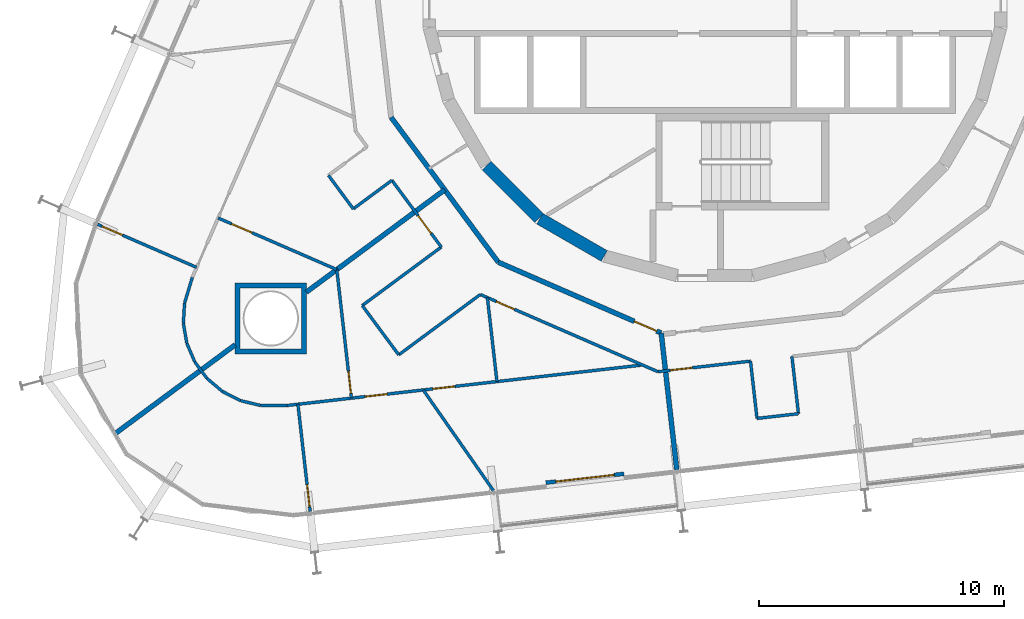
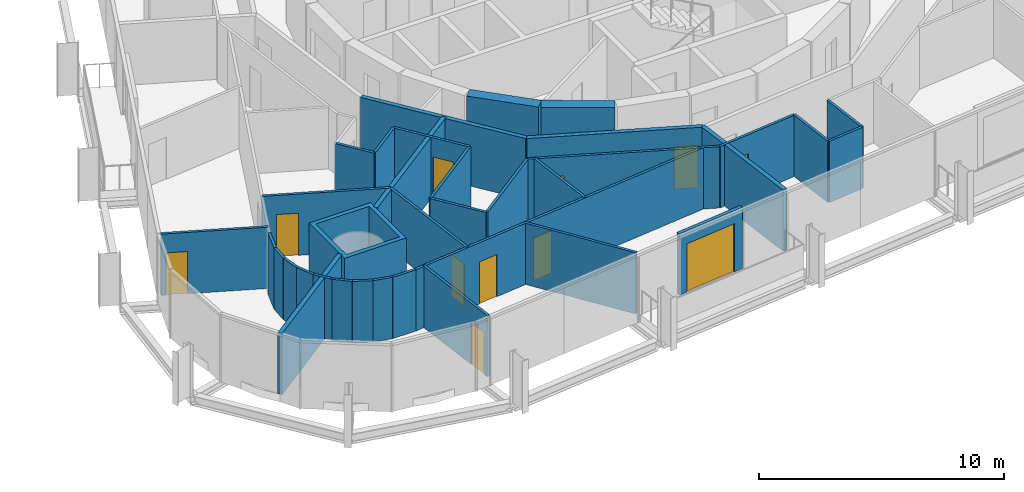
# One storey, part 16 of 23: 36 walls, 11 doors, 11 openings.
"""IFC4 building model written with IfcOpenShell, lengths in metres."""

from ifc_helpers import new_model, si_unit, direction, frame, frame_2d, origin, place, context, subcontext, project, spatial, polyline, rectangle, outline, extrude, material, layer, layer_set, type_object, element, fill, save


model = new_model("IFC4")

# Units and contexts
model_context = context("Model", 3, precision=1e-05, world=origin(), true_north=direction((0.0, 1.0)))
body_context = subcontext(model_context, "Body", "Model", "MODEL_VIEW")
ifc_project = project(units=[si_unit("LENGTHUNIT", "METRE"), si_unit("AREAUNIT", "SQUARE_METRE"), si_unit("VOLUMEUNIT", "CUBIC_METRE"), si_unit("PLANEANGLEUNIT", "RADIAN"), si_unit("MASSUNIT", "GRAM", prefix="KILO")], contexts=[model_context])

# Site, building, storey
site_placement = place(None, origin())
site = spatial("IfcSite", under=ifc_project, at=site_placement, CompositionType="ELEMENT")
building_placement = place(site_placement, origin())
building = spatial("IfcBuilding", under=site, at=building_placement, Name="Spindle Arch Residences", CompositionType="ELEMENT")
storey_placement = place(building_placement, frame((0.0, 0.0, 104.699951171875)))
storey = spatial("IfcBuildingStorey", under=building, at=storey_placement, Name="L25", CompositionType="ELEMENT", Elevation=104.699951171875)

# Walls
ifc_material_1 = material(Name="Concrete C50/60", Category="concrete")
ifc_layer_1 = layer(ifc_material_1, 0.5)
ifc_layer_set_1 = layer_set([ifc_layer_1], Name="Core outline wall 500")
wall_type_1 = type_object("IfcWallType", Name="Core outline wall 500", PredefinedType="SHEAR", material=ifc_layer_set_1)
wall_1_placement = place(storey_placement, frame((-9.30810546875, -7.163818359375, 0.0), z_axis=(0.0, 0.0, 1.0), x_axis=(0.707106781187, -0.707106781187, 0.0)))
element("IfcWall", 1, at=wall_1_placement, inside=storey, type_object=wall_type_1, Name="Core outline wall 21", PredefinedType="SHEAR", context=body_context, shape_type="SweptSolid", body=[
    extrude(rectangle(XDim=3.032470703125, YDim=0.5, at=frame_2d((1.51611328125, 0.0))), origin(), (0.0, 0.0, 1.0), 3.050048828125),
])
wall_2_placement = place(storey_placement, frame((-7.13671875, -9.32861328125, 0.0), z_axis=(0.0, 0.0, 1.0), x_axis=(0.865975092491, -0.500087131594, 0.0)))
element("IfcWall", 2, at=wall_2_placement, inside=storey, type_object=wall_type_1, Name="Core outline wall 22", PredefinedType="SHEAR", context=body_context, shape_type="SweptSolid", body=[
    extrude(rectangle(XDim=3.03271484375, YDim=0.5, at=frame_2d((1.516357421875, 0.0))), origin(), (0.0, 0.0, 1.0), 3.050048828125),
])
ifc_material_2 = material(Name="Calcium silicate block, plastered")
ifc_layer_2 = layer(ifc_material_2, 0.199951171875)
ifc_layer_set_2 = layer_set([ifc_layer_2], Name="Corridor wall 200")
wall_type_2 = type_object("IfcWallType", Name="Corridor wall 200", PredefinedType="STANDARD", material=ifc_layer_set_2)
wall_3_placement = place(storey_placement, frame((-13.1962890625, -5.1982421875, 0.0), z_axis=(0.0, 0.0, 1.0), x_axis=(0.594805187394, -0.803869883159, 0.0)))
element("IfcWall", 3, at=wall_3_placement, inside=storey, type_object=wall_type_2, Name="Corridor wall R2C0-W012", PredefinedType="STANDARD", context=body_context, shape_type="SweptSolid", body=[
    extrude(rectangle(XDim=7.341796875, YDim=0.199951171875, at=frame_2d((3.6708984375, 0.0))), origin(), (0.0, 0.0, 1.0), 3.050048828125),
])

# Wall, opening, door
wall_4_placement = place(storey_placement, frame((-8.829345703125, -11.10009765625, 0.0), z_axis=(0.0, 0.0, 1.0), x_axis=(0.917063622491, -0.398740908742, 0.0)))
wall_4 = element("IfcWall", 4, at=wall_4_placement, inside=storey, type_object=wall_type_2, Name="Corridor wall R2C0-W013", PredefinedType="STANDARD", context=body_context, shape_type="SweptSolid", body=[
    extrude(rectangle(XDim=7.239501953125, YDim=0.199951171875, at=frame_2d((3.61962890625, 0.0))), origin(), (0.0, 0.0, 1.0), 3.050048828125),
])
opening_1_placement = place(wall_4_placement, frame((6.03955078125, 0.0, 0.0)))
opening_1 = element("IfcOpeningElement", 5, at=opening_1_placement, cuts=wall_4, Name="Opening R2C0-FD05", PredefinedType="OPENING", context=body_context, shape_type="SweptSolid", body=[
    extrude(rectangle(XDim=1.0, YDim=2.10009765625, at=frame_2d((0.5, 1.050048828125))), frame((0.0, 0.10986328125, 0.0), z_axis=(0.0, -1.0, 0.0), x_axis=(1.0, 0.0, 0.0)), (0.0, 0.0, 1.0), 0.219970703125),
])
ifc_material_3 = material(Name="Timber, fire-resisting door set", Category="wood")
door_type_1 = type_object("IfcDoorType", Name="Flat entrance door 1000x2100", OperationType="NOTDEFINED", PredefinedType="DOOR", material=ifc_material_3)
door_1_placement = place(opening_1_placement, origin())
door_1 = element("IfcDoor", 6, at=door_1_placement, inside=storey, type_object=door_type_1, Name="Flat entrance door R2C0-FD05", OperationType="SINGLE_SWING_LEFT", OverallHeight=2.10009765625, OverallWidth=1.0, PredefinedType="DOOR", context=body_context, shape_type="SweptSolid", body=[
    extrude(rectangle(XDim=1.0, YDim=2.10009765625, at=frame_2d((0.5, 1.050048828125))), frame((0.0, 0.02490234375, 0.0), z_axis=(0.0, -1.0, 0.0), x_axis=(1.0, 0.0, 0.0)), (0.0, 0.0, 1.0), 0.050048828125),
])
fill(opening_1, door_1)

# Walls
ifc_material_4 = material(Name="Plasterboard on steel studs", Category="steel")
ifc_layer_3 = layer(ifc_material_4, 0.1201171875)
ifc_layer_set_3 = layer_set([ifc_layer_3], Name="Flat partition 120")
wall_type_3 = type_object("IfcWallType", Name="Flat partition 120", PredefinedType="PARTITIONING", material=ifc_layer_set_3)
wall_5_placement = place(storey_placement, frame((-15.75, -7.562255859375, 0.0), z_axis=(0.0, 0.0, 1.0), x_axis=(0.594863421241, -0.803826791087, 0.0)))
element("IfcWall", 7, at=wall_5_placement, inside=storey, type_object=wall_type_3, Name="Flat partition R2C0-W086", PredefinedType="PARTITIONING", context=body_context, shape_type="SweptSolid", body=[
    extrude(rectangle(XDim=1.699951171875, YDim=0.1201171875, at=frame_2d((0.85009765625, 0.0))), origin(), (0.0, 0.0, 1.0), 3.050048828125),
])
wall_6_placement = place(storey_placement, frame((-14.73876953125, -8.9287109375, 0.0), z_axis=(0.0, 0.0, 1.0), x_axis=(0.803901491033, 0.594762467474, 0.0)))
element("IfcWall", 8, at=wall_6_placement, inside=storey, type_object=wall_type_3, Name="Flat partition R2C0-W087", PredefinedType="PARTITIONING", context=body_context, shape_type="SweptSolid", body=[
    extrude(rectangle(XDim=1.958740234375, YDim=0.1201171875, at=frame_2d((0.9794921875, 0.0))), origin(), (0.0, 0.0, 1.0), 3.050048828125),
])

# Wall, opening, door
wall_7_placement = place(storey_placement, frame((-13.1640625, -7.763671875, 0.0), z_axis=(0.0, 0.0, 1.0), x_axis=(0.594837409261, -0.803846040324, 0.0)))
wall_7 = element("IfcWall", 9, at=wall_7_placement, inside=storey, type_object=wall_type_3, Name="Flat partition R2C0-W088", PredefinedType="PARTITIONING", context=body_context, shape_type="SweptSolid", body=[
    extrude(rectangle(XDim=3.3828125, YDim=0.1201171875, at=frame_2d((1.69140625, 0.0))), origin(), (0.0, 0.0, 1.0), 3.050048828125),
])
opening_2_placement = place(wall_7_placement, frame((1.789306640625, 0.0, 0.0)))
opening_2 = element("IfcOpeningElement", 10, at=opening_2_placement, cuts=wall_7, Name="Opening R2C0-ID27", PredefinedType="OPENING", context=body_context, shape_type="SweptSolid", body=[
    extrude(rectangle(XDim=0.89990234375, YDim=2.10009765625, at=frame_2d((0.449951171875, 1.050048828125))), frame((0.0, 0.070068359375, 0.0), z_axis=(0.0, -1.0, 0.0), x_axis=(1.0, 0.0, 0.0)), (0.0, 0.0, 1.0), 0.14013671875),
])
ifc_material_5 = material(Name="Timber door set", Category="wood")
door_type_2 = type_object("IfcDoorType", Name="Room door 900x2100", OperationType="NOTDEFINED", PredefinedType="DOOR", material=ifc_material_5)
door_2_placement = place(opening_2_placement, origin())
door_2 = element("IfcDoor", 11, at=door_2_placement, inside=storey, type_object=door_type_2, Name="Room door R2C0-ID27", OperationType="SINGLE_SWING_LEFT", OverallHeight=2.10009765625, OverallWidth=0.89990234375, PredefinedType="DOOR", context=body_context, shape_type="SweptSolid", body=[
    extrude(rectangle(XDim=0.89990234375, YDim=2.10009765625, at=frame_2d((0.449951171875, 1.050048828125))), frame((0.0, 0.02490234375, 0.0), z_axis=(0.0, -1.0, 0.0), x_axis=(1.0, 0.0, 0.0)), (0.0, 0.0, 1.0), 0.050048828125),
])
fill(opening_2, door_2)

wall_8_placement = place(storey_placement, frame((-25.155517578125, -9.55908203125, 0.0), z_axis=(0.0, 0.0, 1.0), x_axis=(0.917042707292, -0.398789008127, 0.0)))
wall_8 = element("IfcWall", 12, at=wall_8_placement, inside=storey, type_object=wall_type_3, Name="Flat partition R2C0-W092", PredefinedType="PARTITIONING", context=body_context, shape_type="SweptSolid", body=[
    extrude(rectangle(XDim=4.39990234375, YDim=0.1201171875, at=frame_2d((2.199951171875, 0.0))), origin(), (0.0, 0.0, 1.0), 3.050048828125),
])
opening_3_placement = place(wall_8_placement, frame((0.199951171875, 0.0, 0.0)))
opening_3 = element("IfcOpeningElement", 13, at=opening_3_placement, cuts=wall_8, Name="Opening R2C0-ID25", PredefinedType="OPENING", context=body_context, shape_type="SweptSolid", body=[
    extrude(rectangle(XDim=0.89990234375, YDim=2.10009765625, at=frame_2d((0.449951171875, 1.050048828125))), frame((0.0, 0.070068359375, 0.0), z_axis=(0.0, -1.0, 0.0), x_axis=(1.0, 0.0, 0.0)), (0.0, 0.0, 1.0), 0.14013671875),
])
door_3_placement = place(opening_3_placement, origin())
door_3 = element("IfcDoor", 14, at=door_3_placement, inside=storey, type_object=door_type_2, Name="Room door R2C0-ID25", OperationType="SINGLE_SWING_RIGHT", OverallHeight=2.10009765625, OverallWidth=0.89990234375, PredefinedType="DOOR", context=body_context, shape_type="SweptSolid", body=[
    extrude(rectangle(XDim=0.89990234375, YDim=2.10009765625, at=frame_2d((0.449951171875, 1.050048828125))), frame((0.0, 0.02490234375, 0.0), z_axis=(0.0, -1.0, 0.0), x_axis=(1.0, 0.0, 0.0)), (0.0, 0.0, 1.0), 0.050048828125),
])
fill(opening_3, door_3)

wall_9_placement = place(storey_placement, frame((-20.2451171875, -9.30029296875, 0.0), z_axis=(0.0, 0.0, 1.0), x_axis=(0.91706784774, -0.398731190956, 0.0)))
wall_9 = element("IfcWall", 15, at=wall_9_placement, inside=storey, type_object=wall_type_3, Name="Flat partition R2C0-W093", PredefinedType="PARTITIONING", context=body_context, shape_type="SweptSolid", body=[
    extrude(rectangle(XDim=5.2724609375, YDim=0.1201171875, at=frame_2d((2.63623046875, 0.0))), origin(), (0.0, 0.0, 1.0), 3.050048828125),
])
opening_4_placement = place(wall_9_placement, frame((0.60009765625, 0.0, 0.0)))
opening_4 = element("IfcOpeningElement", 16, at=opening_4_placement, cuts=wall_9, Name="Opening R2C0-ID23", PredefinedType="OPENING", context=body_context, shape_type="SweptSolid", body=[
    extrude(rectangle(XDim=0.89990234375, YDim=2.10009765625, at=frame_2d((0.449951171875, 1.050048828125))), frame((0.0, 0.070068359375, 0.0), z_axis=(0.0, -1.0, 0.0), x_axis=(1.0, 0.0, 0.0)), (0.0, 0.0, 1.0), 0.14013671875),
])
door_4_placement = place(opening_4_placement, origin())
door_4 = element("IfcDoor", 17, at=door_4_placement, inside=storey, type_object=door_type_2, Name="Room door R2C0-ID23", OperationType="SINGLE_SWING_RIGHT", OverallHeight=2.10009765625, OverallWidth=0.89990234375, PredefinedType="DOOR", context=body_context, shape_type="SweptSolid", body=[
    extrude(rectangle(XDim=0.89990234375, YDim=2.10009765625, at=frame_2d((0.449951171875, 1.050048828125))), frame((0.0, 0.02490234375, 0.0), z_axis=(0.0, -1.0, 0.0), x_axis=(1.0, 0.0, 0.0)), (0.0, 0.0, 1.0), 0.050048828125),
])
fill(opening_4, door_4)

# Walls
for number, where, z_axis, x_axis, name in (
    (18, (-20.702880859375, -15.834716796875, 0.0), (0.0, 0.0, 1.0), (-0.594755442796, 0.803906688158, 0.0), "Flat partition R2C0-W094"),
    (19, (-21.19580078125, -15.16845703125, 0.0), (0.0, 0.0, 1.0), (-0.393528213057, 0.919312539634, 0.0), "Flat partition R2C0-W095"),
):
    element("IfcWall", number, at=place(storey_placement, frame(where, z_axis=z_axis, x_axis=x_axis)), inside=storey, type_object=wall_type_3, Name=name, PredefinedType="PARTITIONING", context=body_context, shape_type="SweptSolid", body=[
        extrude(rectangle(XDim=0.828857421875, YDim=0.1201171875, at=frame_2d((0.41455078125, 0.0))), origin(), (0.0, 0.0, 1.0), 3.050048828125),
    ])
wall_10_placement = place(storey_placement, frame((-21.52197265625, -14.406494140625, 0.0), z_axis=(0.0, 0.0, 1.0), x_axis=(-0.170794347099, 0.985306698952, 0.0)))
element("IfcWall", 20, at=wall_10_placement, inside=storey, type_object=wall_type_3, Name="Flat partition R2C0-W096", PredefinedType="PARTITIONING", context=body_context, shape_type="SweptSolid", body=[
    extrude(rectangle(XDim=0.8291015625, YDim=0.1201171875, at=frame_2d((0.41455078125, 0.0))), origin(), (0.0, 0.0, 1.0), 3.050048828125),
])
wall_11_placement = place(storey_placement, frame((-21.66357421875, -13.589599609375, 0.0), z_axis=(0.0, 0.0, 1.0), x_axis=(0.061277779288, 0.998120751095, 0.0)))
element("IfcWall", 21, at=wall_11_placement, inside=storey, type_object=wall_type_3, Name="Flat partition R2C0-W097", PredefinedType="PARTITIONING", context=body_context, shape_type="SweptSolid", body=[
    extrude(rectangle(XDim=0.82861328125, YDim=0.1201171875, at=frame_2d((0.414306640625, 0.0))), origin(), (0.0, 0.0, 1.0), 3.050048828125),
])
wall_12_placement = place(storey_placement, frame((-21.61279296875, -12.762451171875, 0.0), z_axis=(0.0, 0.0, 1.0), x_axis=(0.289552239308, 0.95716221233, 0.0)))
element("IfcWall", 22, at=wall_12_placement, inside=storey, type_object=wall_type_3, Name="Flat partition R2C0-W098", PredefinedType="PARTITIONING", context=body_context, shape_type="SweptSolid", body=[
    extrude(rectangle(XDim=1.0869140625, YDim=0.1201171875, at=frame_2d((0.54345703125, 0.0))), origin(), (0.0, 0.0, 1.0), 3.050048828125),
])
wall_13_placement = place(storey_placement, frame((-11.15185546875, -10.48291015625, 0.0), z_axis=(0.0, 0.0, 1.0), x_axis=(-0.803843064298, -0.594841430954, 0.0)))
element("IfcWall", 23, at=wall_13_placement, inside=storey, type_object=wall_type_3, Name="Flat partition R2C0-W099", PredefinedType="PARTITIONING", context=body_context, shape_type="SweptSolid", body=[
    extrude(rectangle(XDim=4.0078125, YDim=0.1201171875, at=frame_2d((2.00390625, 0.0))), origin(), (0.0, 0.0, 1.0), 3.050048828125),
])
wall_14_placement = place(storey_placement, frame((-14.37353515625, -12.866943359375, 0.0), z_axis=(0.0, 0.0, 1.0), x_axis=(0.594800097121, -0.803873649565, 0.0)))
element("IfcWall", 24, at=wall_14_placement, inside=storey, type_object=wall_type_3, Name="Flat partition R2C0-W100", PredefinedType="PARTITIONING", context=body_context, shape_type="SweptSolid", body=[
    extrude(rectangle(XDim=2.5, YDim=0.1201171875, at=frame_2d((1.25, 0.0))), origin(), (0.0, 0.0, 1.0), 3.050048828125),
])
wall_15_placement = place(storey_placement, frame((-12.886474609375, -14.876708984375, 0.0), z_axis=(0.0, 0.0, 1.0), x_axis=(0.803816491389, 0.594877338761, 0.0)))
element("IfcWall", 25, at=wall_15_placement, inside=storey, type_object=wall_type_3, Name="Flat partition R2C0-W101", PredefinedType="PARTITIONING", context=body_context, shape_type="SweptSolid", body=[
    extrude(rectangle(XDim=4.13525390625, YDim=0.1201171875, at=frame_2d((2.067626953125, 0.0))), origin(), (0.0, 0.0, 1.0), 3.050048828125),
])

# Wall, opening, door
wall_16_placement = place(storey_placement, frame((-9.5625, -12.416748046875, 0.0), z_axis=(0.0, 0.0, 1.0), x_axis=(0.917063169851, -0.398741949767, 0.0)))
wall_16 = element("IfcWall", 26, at=wall_16_placement, inside=storey, type_object=wall_type_3, Name="Flat partition R2C0-W102", PredefinedType="PARTITIONING", context=body_context, shape_type="SweptSolid", body=[
    extrude(rectangle(XDim=7.89111328125, YDim=0.1201171875, at=frame_2d((3.945556640625, 0.0))), origin(), (0.0, 0.0, 1.0), 3.050048828125),
])
opening_5_placement = place(wall_16_placement, frame((0.71484375, 0.0, 0.0)))
opening_5 = element("IfcOpeningElement", 27, at=opening_5_placement, cuts=wall_16, Name="Opening R2C0-BD05", PredefinedType="OPENING", context=body_context, shape_type="SweptSolid", body=[
    extrude(rectangle(XDim=0.800048828125, YDim=2.10009765625, at=frame_2d((0.39990234375, 1.050048828125))), frame((0.0, 0.070068359375, 0.0), z_axis=(0.0, -1.0, 0.0), x_axis=(1.0, 0.0, 0.0)), (0.0, 0.0, 1.0), 0.14013671875),
])
ifc_material_6 = material(Name="Timber door set", Category="wood")
door_type_3 = type_object("IfcDoorType", Name="Bathroom door 800x2100", OperationType="NOTDEFINED", PredefinedType="DOOR", material=ifc_material_6)
door_5_placement = place(opening_5_placement, origin())
door_5 = element("IfcDoor", 28, at=door_5_placement, inside=storey, type_object=door_type_3, Name="Bathroom door R2C0-BD05", OperationType="SINGLE_SWING_LEFT", OverallHeight=2.10009765625, OverallWidth=0.800048828125, PredefinedType="DOOR", context=body_context, shape_type="SweptSolid", body=[
    extrude(rectangle(XDim=0.800048828125, YDim=2.10009765625, at=frame_2d((0.39990234375, 1.050048828125))), frame((0.0, 0.02490234375, 0.0), z_axis=(0.0, -1.0, 0.0), x_axis=(1.0, 0.0, 0.0)), (0.0, 0.0, 1.0), 0.050048828125),
])
fill(opening_5, door_5)

wall_17_placement = place(storey_placement, frame((-2.325927734375, -15.563232421875, 0.0), z_axis=(0.0, 0.0, 1.0), x_axis=(0.993575068384, 0.113175012641, 0.0)))
wall_17 = element("IfcWall", 29, at=wall_17_placement, inside=storey, type_object=wall_type_3, Name="Flat partition R2C0-W103", PredefinedType="PARTITIONING", context=body_context, shape_type="SweptSolid", body=[
    extrude(rectangle(XDim=3.798828125, YDim=0.1201171875, at=frame_2d((1.8994140625, 0.0))), origin(), (0.0, 0.0, 1.0), 3.050048828125),
])
opening_6_placement = place(wall_17_placement, frame((0.513427734375, 0.0, 0.0)))
opening_6 = element("IfcOpeningElement", 30, at=opening_6_placement, cuts=wall_17, Name="Opening R2C0-ID32", PredefinedType="OPENING", context=body_context, shape_type="SweptSolid", body=[
    extrude(rectangle(XDim=0.89990234375, YDim=2.10009765625, at=frame_2d((0.449951171875, 1.050048828125))), frame((0.0, 0.070068359375, 0.0), z_axis=(0.0, -1.0, 0.0), x_axis=(1.0, 0.0, 0.0)), (0.0, 0.0, 1.0), 0.14013671875),
])
door_6_placement = place(opening_6_placement, origin())
door_6 = element("IfcDoor", 31, at=door_6_placement, inside=storey, type_object=door_type_2, Name="Room door R2C0-ID32", OperationType="SINGLE_SWING_LEFT", OverallHeight=2.10009765625, OverallWidth=0.89990234375, PredefinedType="DOOR", context=body_context, shape_type="SweptSolid", body=[
    extrude(rectangle(XDim=0.89990234375, YDim=2.10009765625, at=frame_2d((0.449951171875, 1.050048828125))), frame((0.0, 0.02490234375, 0.0), z_axis=(0.0, -1.0, 0.0), x_axis=(1.0, 0.0, 0.0)), (0.0, 0.0, 1.0), 0.050048828125),
])
fill(opening_6, door_6)

# Walls
for number, where, z_axis, x_axis, name in (
    (32, (-20.702880859375, -15.834716796875, 0.0), (0.0, 0.0, 1.0), (0.764223440539, -0.644951574097, 0.0), "Flat partition R2C0-W104"),
    (33, (-20.0693359375, -16.369384765625, 0.0), (0.0, 0.0, 1.0), (0.89229682893, -0.451449187706, 0.0), "Flat partition R2C0-W105"),
):
    element("IfcWall", number, at=place(storey_placement, frame(where, z_axis=z_axis, x_axis=x_axis)), inside=storey, type_object=wall_type_3, Name=name, PredefinedType="PARTITIONING", context=body_context, shape_type="SweptSolid", body=[
        extrude(rectangle(XDim=0.8291015625, YDim=0.1201171875, at=frame_2d((0.41455078125, 0.0))), origin(), (0.0, 0.0, 1.0), 3.050048828125),
    ])
wall_18_placement = place(storey_placement, frame((-19.32958984375, -16.74365234375, 0.0), z_axis=(0.0, 0.0, 1.0), x_axis=(0.972403343288, -0.23330610357, 0.0)))
element("IfcWall", 34, at=wall_18_placement, inside=storey, type_object=wall_type_3, Name="Flat partition R2C0-W106", PredefinedType="PARTITIONING", context=body_context, shape_type="SweptSolid", body=[
    extrude(rectangle(XDim=0.828857421875, YDim=0.1201171875, at=frame_2d((0.41455078125, 0.0))), origin(), (0.0, 0.0, 1.0), 3.050048828125),
])
wall_19_placement = place(storey_placement, frame((-18.523681640625, -16.93701171875, 0.0), z_axis=(0.0, 0.0, 1.0), x_axis=(0.999995736722, -0.00292002349, 0.0)))
element("IfcWall", 35, at=wall_19_placement, inside=storey, type_object=wall_type_3, Name="Flat partition R2C0-W107", PredefinedType="PARTITIONING", context=body_context, shape_type="SweptSolid", body=[
    extrude(rectangle(XDim=1.0869140625, YDim=0.1201171875, at=frame_2d((0.54345703125, 0.0))), origin(), (0.0, 0.0, 1.0), 3.050048828125),
])

# Wall, openings, doors
wall_20_placement = place(storey_placement, frame((-17.436767578125, -16.940185546875, 0.0), z_axis=(0.0, 0.0, 1.0), x_axis=(0.993573314119, 0.113190412448, 0.0)))
wall_20 = element("IfcWall", 36, at=wall_20_placement, inside=storey, type_object=wall_type_3, Name="Flat partition R2C0-W108", PredefinedType="PARTITIONING", context=body_context, shape_type="SweptSolid", body=[
    extrude(rectangle(XDim=14.576416015625, YDim=0.1201171875, at=frame_2d((7.2880859375, 0.0))), origin(), (0.0, 0.0, 1.0), 3.050048828125),
])
opening_7_placement = place(wall_20_placement, frame((3.20068359375, 0.0, 0.0)))
opening_7 = element("IfcOpeningElement", 37, at=opening_7_placement, cuts=wall_20, Name="Opening R2C0-ID29", PredefinedType="OPENING", context=body_context, shape_type="SweptSolid", body=[
    extrude(rectangle(XDim=0.89990234375, YDim=2.10009765625, at=frame_2d((0.449951171875, 1.050048828125))), frame((0.0, 0.070068359375, 0.0), z_axis=(0.0, -1.0, 0.0), x_axis=(1.0, 0.0, 0.0)), (0.0, 0.0, 1.0), 0.14013671875),
])
opening_8_placement = place(wall_20_placement, frame((5.98486328125, 0.0, 0.0)))
opening_8 = element("IfcOpeningElement", 38, at=opening_8_placement, cuts=wall_20, Name="Opening R2C0-ID30", PredefinedType="OPENING", context=body_context, shape_type="SweptSolid", body=[
    extrude(rectangle(XDim=0.89990234375, YDim=2.10009765625, at=frame_2d((0.449951171875, 1.050048828125))), frame((0.0, 0.070068359375, 0.0), z_axis=(0.0, -1.0, 0.0), x_axis=(1.0, 0.0, 0.0)), (0.0, 0.0, 1.0), 0.14013671875),
])
door_7_placement = place(opening_7_placement, origin())
door_7 = element("IfcDoor", 39, at=door_7_placement, inside=storey, type_object=door_type_2, Name="Room door R2C0-ID29", OperationType="SINGLE_SWING_LEFT", OverallHeight=2.10009765625, OverallWidth=0.89990234375, PredefinedType="DOOR", context=body_context, shape_type="SweptSolid", body=[
    extrude(rectangle(XDim=0.89990234375, YDim=2.10009765625, at=frame_2d((0.449951171875, 1.050048828125))), frame((0.0, 0.02490234375, 0.0), z_axis=(0.0, -1.0, 0.0), x_axis=(1.0, 0.0, 0.0)), (0.0, 0.0, 1.0), 0.050048828125),
])
fill(opening_7, door_7)
door_8_placement = place(opening_8_placement, origin())
door_8 = element("IfcDoor", 40, at=door_8_placement, inside=storey, type_object=door_type_2, Name="Room door R2C0-ID30", OperationType="SINGLE_SWING_LEFT", OverallHeight=2.10009765625, OverallWidth=0.89990234375, PredefinedType="DOOR", context=body_context, shape_type="SweptSolid", body=[
    extrude(rectangle(XDim=0.89990234375, YDim=2.10009765625, at=frame_2d((0.449951171875, 1.050048828125))), frame((0.0, 0.02490234375, 0.0), z_axis=(0.0, -1.0, 0.0), x_axis=(1.0, 0.0, 0.0)), (0.0, 0.0, 1.0), 0.050048828125),
])
fill(opening_8, door_8)

# Wall, opening, door
wall_21_placement = place(storey_placement, frame((-14.81298828125, -16.641357421875, 0.0), z_axis=(0.0, 0.0, 1.0), x_axis=(-0.113210971478, 0.993570971767, 0.0)))
wall_21 = element("IfcWall", 41, at=wall_21_placement, inside=storey, type_object=wall_type_3, Name="Flat partition R2C0-W109", PredefinedType="PARTITIONING", context=body_context, shape_type="SweptSolid", body=[
    extrude(rectangle(XDim=5.272705078125, YDim=0.1201171875, at=frame_2d((2.63623046875, 0.0))), origin(), (0.0, 0.0, 1.0), 3.050048828125),
])
opening_9_placement = place(wall_21_placement, frame((0.199951171875, 0.0, 0.0)))
opening_9 = element("IfcOpeningElement", 42, at=opening_9_placement, cuts=wall_21, Name="Opening R2C0-ID28", PredefinedType="OPENING", context=body_context, shape_type="SweptSolid", body=[
    extrude(rectangle(XDim=0.89990234375, YDim=2.10009765625, at=frame_2d((0.449951171875, 1.050048828125))), frame((0.0, 0.070068359375, 0.0), z_axis=(0.0, -1.0, 0.0), x_axis=(1.0, 0.0, 0.0)), (0.0, 0.0, 1.0), 0.14013671875),
])
door_9_placement = place(opening_9_placement, origin())
door_9 = element("IfcDoor", 43, at=door_9_placement, inside=storey, type_object=door_type_2, Name="Room door R2C0-ID28", OperationType="SINGLE_SWING_LEFT", OverallHeight=2.10009765625, OverallWidth=0.89990234375, PredefinedType="DOOR", context=body_context, shape_type="SweptSolid", body=[
    extrude(rectangle(XDim=0.89990234375, YDim=2.10009765625, at=frame_2d((0.449951171875, 1.050048828125))), frame((0.0, 0.02490234375, 0.0), z_axis=(0.0, -1.0, 0.0), x_axis=(1.0, 0.0, 0.0)), (0.0, 0.0, 1.0), 0.050048828125),
])
fill(opening_9, door_9)

wall_22_placement = place(storey_placement, frame((-16.49609375, -21.26171875, 0.0), z_axis=(0.0, 0.0, 1.0), x_axis=(-0.1132445713, 0.993567142709, 0.0)))
wall_22 = element("IfcWall", 44, at=wall_22_placement, inside=storey, type_object=wall_type_3, Name="Flat partition R2C0-W110", PredefinedType="PARTITIONING", context=body_context, shape_type="SweptSolid", body=[
    extrude(rectangle(XDim=4.400146484375, YDim=0.1201171875, at=frame_2d((2.2001953125, 0.0))), origin(), (0.0, 0.0, 1.0), 3.050048828125),
])
opening_10_placement = place(wall_22_placement, frame((0.199951171875, 0.0, 0.0)))
opening_10 = element("IfcOpeningElement", 45, at=opening_10_placement, cuts=wall_22, Name="Opening R2C0-ID31", PredefinedType="OPENING", context=body_context, shape_type="SweptSolid", body=[
    extrude(rectangle(XDim=0.89990234375, YDim=2.10009765625, at=frame_2d((0.449951171875, 1.050048828125))), frame((0.0, 0.070068359375, 0.0), z_axis=(0.0, -1.0, 0.0), x_axis=(1.0, 0.0, 0.0)), (0.0, 0.0, 1.0), 0.14013671875),
])
door_10_placement = place(opening_10_placement, origin())
door_10 = element("IfcDoor", 46, at=door_10_placement, inside=storey, type_object=door_type_2, Name="Room door R2C0-ID31", OperationType="SINGLE_SWING_LEFT", OverallHeight=2.10009765625, OverallWidth=0.89990234375, PredefinedType="DOOR", context=body_context, shape_type="SweptSolid", body=[
    extrude(rectangle(XDim=0.89990234375, YDim=2.10009765625, at=frame_2d((0.449951171875, 1.050048828125))), frame((0.0, 0.02490234375, 0.0), z_axis=(0.0, -1.0, 0.0), x_axis=(1.0, 0.0, 0.0)), (0.0, 0.0, 1.0), 0.050048828125),
])
fill(opening_10, door_10)

# Walls
wall_23_placement = place(storey_placement, frame((-8.883544921875, -15.9658203125, 0.0), z_axis=(0.0, 0.0, 1.0), x_axis=(-0.113230836929, 0.993568708026, 0.0)))
element("IfcWall", 47, at=wall_23_placement, inside=storey, type_object=wall_type_3, Name="Flat partition R2C0-W111", PredefinedType="PARTITIONING", context=body_context, shape_type="SweptSolid", body=[
    extrude(rectangle(XDim=3.445556640625, YDim=0.1201171875, at=frame_2d((1.72265625, 0.0))), origin(), (0.0, 0.0, 1.0), 3.050048828125),
])
wall_24_placement = place(storey_placement, frame((-9.025634765625, -20.410400390625, 0.0), z_axis=(0.0, 0.0, 1.0), x_axis=(-0.57218083256, 0.82012748695, 0.0)))
element("IfcWall", 48, at=wall_24_placement, inside=storey, type_object=wall_type_3, Name="Flat partition R2C0-W112", PredefinedType="PARTITIONING", context=body_context, shape_type="SweptSolid", body=[
    extrude(rectangle(XDim=5.001953125, YDim=0.1201171875, at=frame_2d((2.5009765625, 0.0))), origin(), (0.0, 0.0, 1.0), 3.050048828125),
])
wall_25_placement = place(storey_placement, frame((1.448486328125, -15.13330078125, 0.0), z_axis=(0.0, 0.0, 1.0), x_axis=(0.113180189053, -0.993574478741, 0.0)))
element("IfcWall", 49, at=wall_25_placement, inside=storey, type_object=wall_type_3, Name="Flat partition R2C0-W113", PredefinedType="PARTITIONING", context=body_context, shape_type="SweptSolid", body=[
    extrude(rectangle(XDim=2.34912109375, YDim=0.1201171875, at=frame_2d((1.174560546875, 0.0))), origin(), (0.0, 0.0, 1.0), 3.050048828125),
])
wall_26_placement = place(storey_placement, frame((1.71435546875, -17.46728515625, 0.0), z_axis=(0.0, 0.0, 1.0), x_axis=(0.993577030812, 0.113157782957, 0.0)))
element("IfcWall", 50, at=wall_26_placement, inside=storey, type_object=wall_type_3, Name="Flat partition R2C0-W114", PredefinedType="PARTITIONING", context=body_context, shape_type="SweptSolid", body=[
    extrude(rectangle(XDim=1.7001953125, YDim=0.1201171875, at=frame_2d((0.85009765625, 0.0))), origin(), (0.0, 0.0, 1.0), 3.050048828125),
])
wall_27_placement = place(storey_placement, frame((3.403564453125, -17.27490234375, 0.0), z_axis=(0.0, 0.0, 1.0), x_axis=(-0.113180189053, 0.993574478741, 0.0)))
element("IfcWall", 51, at=wall_27_placement, inside=storey, type_object=wall_type_3, Name="Flat partition R2C0-W115", PredefinedType="PARTITIONING", context=body_context, shape_type="SweptSolid", body=[
    extrude(rectangle(XDim=2.34912109375, YDim=0.1201171875, at=frame_2d((1.174560546875, 0.0))), origin(), (0.0, 0.0, 1.0), 3.050048828125),
])
ifc_material_7 = material(Name="Calcium silicate block, plastered")
ifc_layer_4 = layer(ifc_material_7, 0.199951171875)
ifc_layer_set_4 = layer_set([ifc_layer_4], Name="Flat party wall 200")
wall_type_4 = type_object("IfcWallType", Name="Flat party wall 200", PredefinedType="STANDARD", material=ifc_layer_set_4)
wall_28_placement = place(storey_placement, frame((-16.64892578125, -12.319580078125, 0.0), z_axis=(0.0, 0.0, 1.0), x_axis=(0.803869204071, 0.594806105169, 0.0)))
element("IfcWall", 52, at=wall_28_placement, inside=storey, type_object=wall_type_4, Name="Flat party wall R2C0-W026", PredefinedType="STANDARD", context=body_context, shape_type="SweptSolid", body=[
    extrude(rectangle(XDim=7.011474609375, YDim=0.199951171875, at=frame_2d((3.505859375, 0.0))), origin(), (0.0, 0.0, 1.0), 3.050048828125),
])
wall_29_placement = place(storey_placement, frame((-24.486083984375, -18.118896484375, 0.0), z_axis=(0.0, 0.0, 1.0), x_axis=(0.80384227933, 0.594842491726, 0.0)))
element("IfcWall", 53, at=wall_29_placement, inside=storey, type_object=wall_type_4, Name="Flat party wall R2C0-W027", PredefinedType="STANDARD", context=body_context, shape_type="SweptSolid", body=[
    extrude(rectangle(XDim=6.14208984375, YDim=0.199951171875, at=frame_2d((3.071044921875, 0.0))), origin(), (0.0, 0.0, 1.0), 3.050048828125),
])
wall_30_placement = place(storey_placement, frame((-1.55517578125, -19.559326171875, 0.0), z_axis=(0.0, 0.0, 1.0), x_axis=(-0.113221250863, 0.993569800443, 0.0)))
element("IfcWall", 54, at=wall_30_placement, inside=storey, type_object=wall_type_4, Name="Flat party wall R2C0-W028", PredefinedType="STANDARD", context=body_context, shape_type="SweptSolid", body=[
    extrude(rectangle(XDim=5.608642578125, YDim=0.199951171875, at=frame_2d((2.80419921875, 0.0))), origin(), (0.0, 0.0, 1.0), 3.050048828125),
])

# Wall, opening, door
ifc_material_8 = material(Name="Non-combustible mineral wool insulated aluminium faced external wall (K0)", Category="aluminium")
ifc_layer_5 = layer(ifc_material_8, 0.159912109375)
ifc_layer_set_5 = layer_set([ifc_layer_5], Name="Insulated external wall panel 160")
wall_type_5 = type_object("IfcWallType", Name="Insulated external wall panel 160", PredefinedType="STANDARD", material=ifc_layer_set_5)
wall_31_placement = place(storey_placement, frame((-6.88916015625, -20.08642578125, 0.0), z_axis=(0.0, 0.0, 1.0), x_axis=(0.993578576686, 0.113144208648, 0.0)))
wall_31 = element("IfcWall", 55, at=wall_31_placement, inside=storey, type_object=wall_type_5, Name="External wall L25 bay 23", PredefinedType="STANDARD", context=body_context, shape_type="SweptSolid", body=[
    extrude(rectangle(XDim=3.199951171875, YDim=0.159912109375, at=frame_2d((1.60009765625, 0.0))), origin(), (0.0, 0.0, 1.0), 3.050048828125),
])
opening_11_placement = place(wall_31_placement, frame((0.39990234375, 0.0, 0.0)))
opening_11 = element("IfcOpeningElement", 56, at=opening_11_placement, cuts=wall_31, Name="Opening BD23", PredefinedType="OPENING", context=body_context, shape_type="SweptSolid", body=[
    extrude(rectangle(XDim=2.39990234375, YDim=2.39990234375, at=frame_2d((1.199951171875, 1.199951171875))), frame((0.0, 0.08984375, 0.0), z_axis=(0.0, -1.0, 0.0), x_axis=(1.0, 0.0, 0.0)), (0.0, 0.0, 1.0), 0.179931640625),
])
ifc_material_9 = material(Name="Bronze aluminium frame, tinted double glazing", Category="aluminium")
door_type_4 = type_object("IfcDoorType", Name="Sliding glazed balcony door 2400x2400", OperationType="DOUBLE_DOOR_SLIDING", PredefinedType="DOOR", material=ifc_material_9)
door_11_placement = place(opening_11_placement, origin())
door_11 = element("IfcDoor", 57, at=door_11_placement, inside=storey, type_object=door_type_4, Name="Balcony door BD23", OperationType="DOUBLE_DOOR_SLIDING", OverallHeight=2.39990234375, OverallWidth=2.39990234375, PredefinedType="DOOR", context=body_context, shape_type="SweptSolid", body=[
    extrude(rectangle(XDim=2.39990234375, YDim=2.39990234375, at=frame_2d((1.199951171875, 1.199951171875))), frame((0.0, 0.02490234375, 0.0), z_axis=(0.0, -1.0, 0.0), x_axis=(1.0, 0.0, 0.0)), (0.0, 0.0, 1.0), 0.050048828125),
])
fill(opening_11, door_11)

# Wall
ifc_material_10 = material(Name="Calcium silicate block, plastered")
ifc_layer_6 = layer(ifc_material_10, 0.199951171875)
ifc_layer_set_6 = layer_set([ifc_layer_6], Name="Mega-column casing wall 200")
wall_type_6 = type_object("IfcWallType", Name="Mega-column casing wall 200", PredefinedType="STANDARD", material=ifc_layer_set_6)
wall_32_placement = place(storey_placement, origin())
element("IfcWall", 58, at=wall_32_placement, inside=storey, type_object=wall_type_6, Name="Mega-column casing wall R2C0-WC02", PredefinedType="STANDARD", context=body_context, shape_type="SweptSolid", body=[
    extrude(outline(polyline([(-16.64892578125, -11.9423828125), (-16.64892578125, -14.842529296875), (-19.548828125, -14.842529296875), (-19.548828125, -11.9423828125), (-16.64892578125, -11.9423828125)]), holes=[polyline([(-19.348876953125, -14.642578125), (-16.848876953125, -14.642578125), (-16.848876953125, -12.142578125), (-19.348876953125, -12.142578125), (-19.348876953125, -14.642578125)])]), origin(), (0.0, 0.0, 1.0), 3.050048828125),
])

save(model, "model.ifc")
